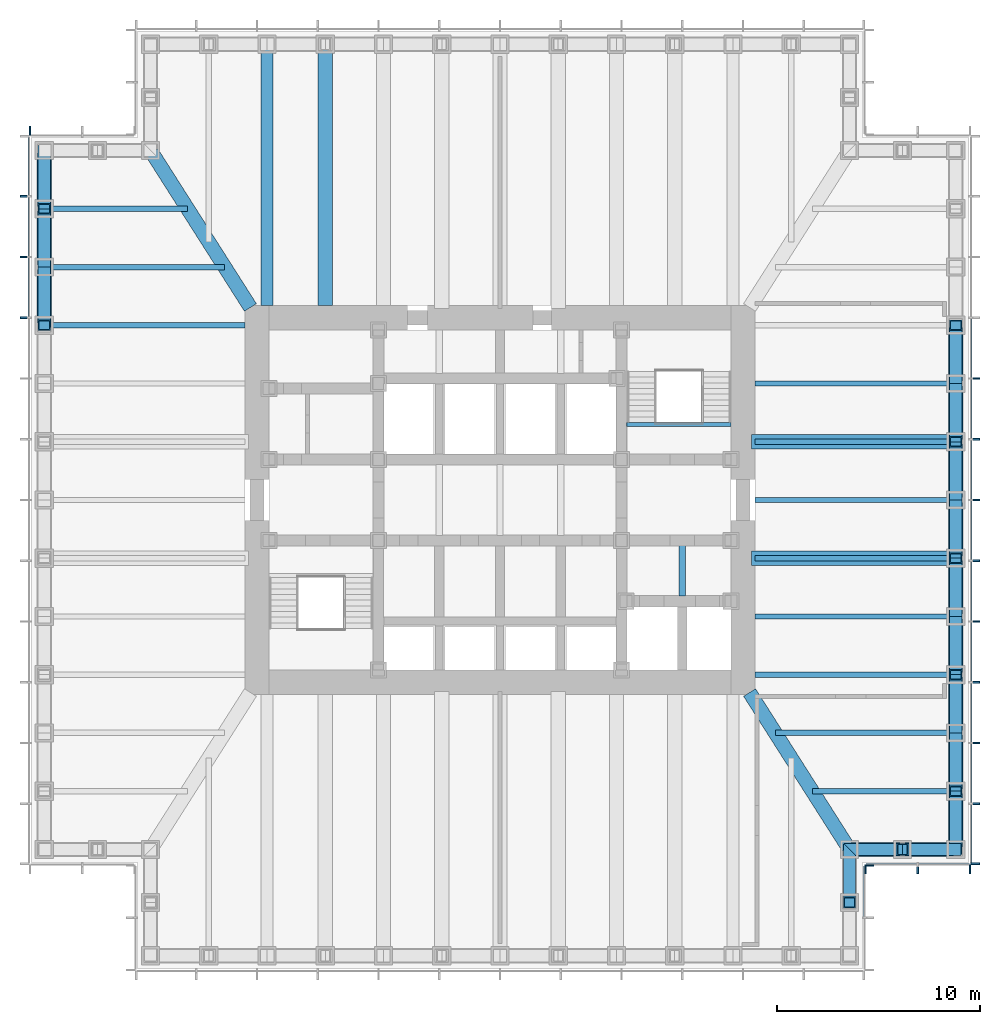
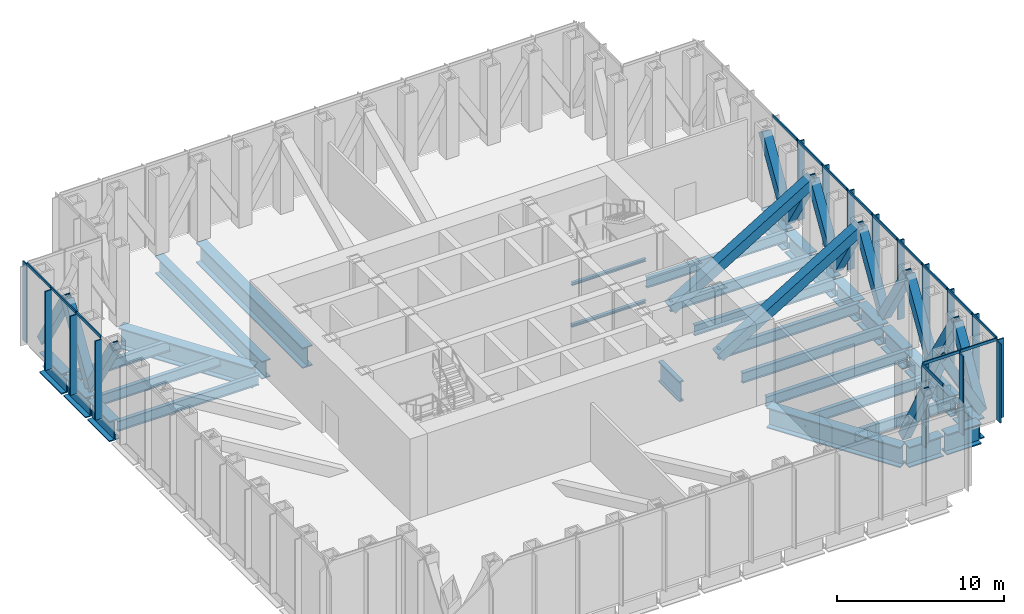
# One storey, part 3 of 13: 49 members, 32 beams, 5 elements without a shape of their own.
"""IFC4 building model written with IfcOpenShell, lengths in metres."""

from ifc_helpers import new_model, si_unit, direction, frame, origin, origin_2d, place, context, subcontext, project, spatial, rectangle, hollow_rectangle, i_section, extrude, material, material_profile, profile_set, type_object, element, aggregate, save


model = new_model("IFC4")

# Units and contexts
model_context = context("Model", 3, precision=1e-05, world=origin(), true_north=direction((0.0, 1.0)))
body_context = subcontext(model_context, "Body", "Model", "MODEL_VIEW")
ifc_project = project(units=[si_unit("LENGTHUNIT", "METRE"), si_unit("AREAUNIT", "SQUARE_METRE"), si_unit("VOLUMEUNIT", "CUBIC_METRE"), si_unit("PLANEANGLEUNIT", "RADIAN"), si_unit("MASSUNIT", "GRAM", prefix="KILO")], contexts=[model_context])

# Site, building, storey
site_placement = place(None, origin())
site = spatial("IfcSite", under=ifc_project, at=site_placement, CompositionType="ELEMENT")
building_placement = place(site_placement, origin())
building = spatial("IfcBuilding", under=site, at=building_placement, Name="Daluyong Arena Tower", CompositionType="ELEMENT")
storey_placement = place(building_placement, frame((0.0, 0.0, 175.300048828125)))
storey = spatial("IfcBuildingStorey", under=building, at=storey_placement, Name="L39", CompositionType="ELEMENT", Elevation=175.300048828125)

# Members
ifc_material_1 = material(Name="Steel ASTM A572 Grade 50", Category="steel")
ifc_material_profile_1 = material_profile(ifc_material_1, hollow_rectangle(XDim=0.60009765625, YDim=0.60009765625, WallThickness=0.05, at=origin_2d()))
ifc_profile_set_1 = profile_set([ifc_material_profile_1], Name="Steel ASTM A572 Grade 50")
member_type_1 = type_object("IfcMemberType", Name="Belt truss diagonal BX600X50", PredefinedType="BRACE", material=ifc_profile_set_1)
for number, where, z_axis, x_axis, name in (
    (1, (73.25, 62.75, 0.5), (0.0, -0.48368611169, 0.875241535439), (1.0, 0.0, 0.0), "belt truss diagonal BT1"),
    (2, (73.25, 62.75, 0.5), (0.48368611169, 0.0, 0.875241535439), (0.0, 1.0, 0.0), "belt truss diagonal BT1"),
    (3, (78.5, 62.75, 0.5), (-0.48368611169, 0.0, 0.875241535439), (0.0, -1.0, 0.0), "belt truss diagonal BT1"),
):
    element("IfcMember", number, at=place(storey_placement, frame(where, z_axis=z_axis, x_axis=x_axis)), inside=storey, type_object=member_type_1, Name=name, PredefinedType="BRACE", context=body_context, shape_type="SweptSolid", body=[
        extrude(hollow_rectangle(XDim=0.60009765625, YDim=0.60009765625, WallThickness=0.05, at=origin_2d()), origin(), (0.0, 0.0, 1.0), 5.427001953125),
    ])
for number, where, z_axis, x_axis, name in (
    (4, (78.5, 62.75, 0.5), (0.0, 0.517802679406, 0.855500079018), (-1.0, 0.0, 0.0), "belt truss diagonal BT1"),
    (5, (78.5, 68.5, 0.5), (0.0, -0.517802679406, 0.855500079018), (1.0, 0.0, 0.0), "belt truss diagonal BT1"),
    (6, (78.5, 68.5, 0.5), (0.0, 0.517802679406, 0.855500079018), (-1.0, 0.0, 0.0), "belt truss diagonal BT1"),
    (7, (78.5, 74.25, 0.5), (0.0, -0.517802679406, 0.855500079018), (1.0, 0.0, 0.0), "belt truss diagonal BT1"),
    (8, (78.5, 74.25, 0.5), (0.0, 0.517802679406, 0.855500079018), (-1.0, 0.0, 0.0), "belt truss diagonal BT1"),
    (9, (78.5, 80.0, 0.5), (0.0, -0.517802679406, 0.855500079018), (1.0, 0.0, 0.0), "belt truss diagonal BT1"),
    (10, (78.5, 80.0, 0.5), (0.0, 0.517802679406, 0.855500079018), (-1.0, 0.0, 0.0), "belt truss diagonal BT1"),
    (11, (78.5, 85.75, 0.5), (0.0, -0.517802679406, 0.855500079018), (1.0, 0.0, 0.0), "belt truss diagonal BT1"),
    (12, (78.5, 85.75, 0.5), (0.0, 0.517802679406, 0.855500079018), (-1.0, 0.0, 0.0), "belt truss diagonal BT1"),
    (13, (33.5, 97.25, 0.5), (0.0, -0.517802679406, 0.855500079018), (1.0, 0.0, 0.0), "belt truss diagonal BT1"),
    (14, (33.5, 91.5, 0.5), (0.0, 0.517802679406, 0.855500079018), (-1.0, 0.0, 0.0), "belt truss diagonal BT1"),
    (15, (33.5, 91.5, 0.5), (0.0, -0.517802679406, 0.855500079018), (1.0, 0.0, 0.0), "belt truss diagonal BT1"),
):
    element("IfcMember", number, at=place(storey_placement, frame(where, z_axis=z_axis, x_axis=x_axis)), inside=storey, type_object=member_type_1, Name=name, PredefinedType="BRACE", context=body_context, shape_type="SweptSolid", body=[
        extrude(hollow_rectangle(XDim=0.60009765625, YDim=0.60009765625, WallThickness=0.05, at=origin_2d()), origin(), (0.0, 0.0, 1.0), 5.55224609375),
    ])

# Curtain wall, member
ifc_material_2 = material(Name="Bronze anodised aluminium and glass", Category="aluminium")
curtain_wall_type = type_object("IfcCurtainWallType", Name="Curtain wall CW6", PredefinedType="USERDEFINED", material=ifc_material_2)
curtain_wall_1_placement = place(storey_placement, origin())
curtain_wall_1 = element("IfcCurtainWall", 16, at=curtain_wall_1_placement, inside=storey, type_object=curtain_wall_type, Name="curtain wall L39 SE-E", ObjectType="UNITISED CURTAIN WALL", PredefinedType="USERDEFINED")
ifc_material_3 = material(Name="Bronze anodised aluminium fin", Category="aluminium")
ifc_material_profile_2 = material_profile(ifc_material_3, rectangle(XDim=0.449951171875, YDim=0.080078125, at=origin_2d()))
ifc_profile_set_2 = profile_set([ifc_material_profile_2], Name="Bronze anodised aluminium fin")
member_type_2 = type_object("IfcMemberType", Name="CW6 bronze fin 450x80", PredefinedType="MULLION", material=ifc_profile_set_2)
member_1_placement = place(storey_placement, frame((74.22509765625, 61.9599609375, 0.0), z_axis=(0.0, 0.0, 1.0), x_axis=(-1.0, 0.0, 0.0)))
member_1 = element("IfcMember", 17, at=member_1_placement, type_object=member_type_2, Name="curtain wall L39 SE-E fin 3", PredefinedType="MULLION", context=body_context, shape_type="SweptSolid", body=[
    extrude(rectangle(XDim=0.449951171875, YDim=0.080078125, at=origin_2d()), origin(), (0.0, 0.0, 1.0), 5.800048828125),
])

# Curtain wall, members
curtain_wall_2_placement = place(storey_placement, origin())
curtain_wall_2 = element("IfcCurtainWall", 18, at=curtain_wall_2_placement, inside=storey, type_object=curtain_wall_type, Name="curtain wall L39 SE-S", ObjectType="UNITISED CURTAIN WALL", PredefinedType="USERDEFINED")
member_2_placement = place(storey_placement, frame((74.0400390625, 61.77490234375, 0.0), z_axis=(0.0, 0.0, 1.0), x_axis=(0.0, 1.0, 0.0)))
member_2 = element("IfcMember", 19, at=member_2_placement, type_object=member_type_2, Name="curtain wall L39 SE-S fin 1", PredefinedType="MULLION", context=body_context, shape_type="SweptSolid", body=[
    extrude(rectangle(XDim=0.449951171875, YDim=0.080078125, at=origin_2d()), origin(), (0.0, 0.0, 1.0), 5.800048828125),
])
member_3_placement = place(storey_placement, frame((76.625, 61.77490234375, 0.0), z_axis=(0.0, 0.0, 1.0), x_axis=(0.0, 1.0, 0.0)))
member_3 = element("IfcMember", 20, at=member_3_placement, type_object=member_type_2, Name="curtain wall L39 SE-S fin 2", PredefinedType="MULLION", context=body_context, shape_type="SweptSolid", body=[
    extrude(rectangle(XDim=0.449951171875, YDim=0.080078125, at=origin_2d()), origin(), (0.0, 0.0, 1.0), 5.800048828125),
])
member_4_placement = place(storey_placement, frame((79.2099609375, 61.77490234375, 0.0), z_axis=(0.0, 0.0, 1.0), x_axis=(0.0, 1.0, 0.0)))
member_4 = element("IfcMember", 21, at=member_4_placement, type_object=member_type_2, Name="curtain wall L39 SE-S fin 3", PredefinedType="MULLION", context=body_context, shape_type="SweptSolid", body=[
    extrude(rectangle(XDim=0.449951171875, YDim=0.080078125, at=origin_2d()), origin(), (0.0, 0.0, 1.0), 5.800048828125),
])

curtain_wall_3_placement = place(storey_placement, origin())
curtain_wall_3 = element("IfcCurtainWall", 22, at=curtain_wall_3_placement, inside=storey, type_object=curtain_wall_type, Name="curtain wall L39 E", ObjectType="UNITISED CURTAIN WALL", PredefinedType="USERDEFINED")
member_5_placement = place(storey_placement, frame((79.47509765625, 62.0400390625, 0.0), z_axis=(0.0, 0.0, 1.0), x_axis=(-1.0, 0.0, 0.0)))
member_5 = element("IfcMember", 23, at=member_5_placement, type_object=member_type_2, Name="curtain wall L39 E fin 1", PredefinedType="MULLION", context=body_context, shape_type="SweptSolid", body=[
    extrude(rectangle(XDim=0.449951171875, YDim=0.080078125, at=origin_2d()), origin(), (0.0, 0.0, 1.0), 5.800048828125),
])
member_6_placement = place(storey_placement, frame((79.47509765625, 65.0, 0.0), z_axis=(0.0, 0.0, 1.0), x_axis=(-1.0, 0.0, 0.0)))
member_6 = element("IfcMember", 24, at=member_6_placement, type_object=member_type_2, Name="curtain wall L39 E fin 2", PredefinedType="MULLION", context=body_context, shape_type="SweptSolid", body=[
    extrude(rectangle(XDim=0.449951171875, YDim=0.080078125, at=origin_2d()), origin(), (0.0, 0.0, 1.0), 5.800048828125),
])
member_7_placement = place(storey_placement, frame((79.47509765625, 68.0, 0.0), z_axis=(0.0, 0.0, 1.0), x_axis=(-1.0, 0.0, 0.0)))
member_7 = element("IfcMember", 25, at=member_7_placement, type_object=member_type_2, Name="curtain wall L39 E fin 3", PredefinedType="MULLION", context=body_context, shape_type="SweptSolid", body=[
    extrude(rectangle(XDim=0.449951171875, YDim=0.080078125, at=origin_2d()), origin(), (0.0, 0.0, 1.0), 5.800048828125),
])
member_8_placement = place(storey_placement, frame((79.47509765625, 71.0, 0.0), z_axis=(0.0, 0.0, 1.0), x_axis=(-1.0, 0.0, 0.0)))
member_8 = element("IfcMember", 26, at=member_8_placement, type_object=member_type_2, Name="curtain wall L39 E fin 4", PredefinedType="MULLION", context=body_context, shape_type="SweptSolid", body=[
    extrude(rectangle(XDim=0.449951171875, YDim=0.080078125, at=origin_2d()), origin(), (0.0, 0.0, 1.0), 5.800048828125),
])
member_9_placement = place(storey_placement, frame((79.47509765625, 74.0, 0.0), z_axis=(0.0, 0.0, 1.0), x_axis=(-1.0, 0.0, 0.0)))
member_9 = element("IfcMember", 27, at=member_9_placement, type_object=member_type_2, Name="curtain wall L39 E fin 5", PredefinedType="MULLION", context=body_context, shape_type="SweptSolid", body=[
    extrude(rectangle(XDim=0.449951171875, YDim=0.080078125, at=origin_2d()), origin(), (0.0, 0.0, 1.0), 5.800048828125),
])
member_10_placement = place(storey_placement, frame((79.47509765625, 77.0, 0.0), z_axis=(0.0, 0.0, 1.0), x_axis=(-1.0, 0.0, 0.0)))
member_10 = element("IfcMember", 28, at=member_10_placement, type_object=member_type_2, Name="curtain wall L39 E fin 6", PredefinedType="MULLION", context=body_context, shape_type="SweptSolid", body=[
    extrude(rectangle(XDim=0.449951171875, YDim=0.080078125, at=origin_2d()), origin(), (0.0, 0.0, 1.0), 5.800048828125),
])
member_11_placement = place(storey_placement, frame((79.47509765625, 80.0, 0.0), z_axis=(0.0, 0.0, 1.0), x_axis=(-1.0, 0.0, 0.0)))
member_11 = element("IfcMember", 29, at=member_11_placement, type_object=member_type_2, Name="curtain wall L39 E fin 7", PredefinedType="MULLION", context=body_context, shape_type="SweptSolid", body=[
    extrude(rectangle(XDim=0.449951171875, YDim=0.080078125, at=origin_2d()), origin(), (0.0, 0.0, 1.0), 5.800048828125),
])
member_12_placement = place(storey_placement, frame((79.47509765625, 83.0, 0.0), z_axis=(0.0, 0.0, 1.0), x_axis=(-1.0, 0.0, 0.0)))
member_12 = element("IfcMember", 30, at=member_12_placement, type_object=member_type_2, Name="curtain wall L39 E fin 8", PredefinedType="MULLION", context=body_context, shape_type="SweptSolid", body=[
    extrude(rectangle(XDim=0.449951171875, YDim=0.080078125, at=origin_2d()), origin(), (0.0, 0.0, 1.0), 5.800048828125),
])
member_13_placement = place(storey_placement, frame((79.47509765625, 86.0, 0.0), z_axis=(0.0, 0.0, 1.0), x_axis=(-1.0, 0.0, 0.0)))
member_13 = element("IfcMember", 31, at=member_13_placement, type_object=member_type_2, Name="curtain wall L39 E fin 9", PredefinedType="MULLION", context=body_context, shape_type="SweptSolid", body=[
    extrude(rectangle(XDim=0.449951171875, YDim=0.080078125, at=origin_2d()), origin(), (0.0, 0.0, 1.0), 5.800048828125),
])

# Curtain wall, member
curtain_wall_4_placement = place(storey_placement, origin())
curtain_wall_4 = element("IfcCurtainWall", 32, at=curtain_wall_4_placement, inside=storey, type_object=curtain_wall_type, Name="curtain wall L39 NW-N", ObjectType="UNITISED CURTAIN WALL", PredefinedType="USERDEFINED")
member_14_placement = place(storey_placement, frame((32.7900390625, 98.22509765625, 0.0), z_axis=(0.0, 0.0, 1.0), x_axis=(0.0, -1.0, 0.0)))
member_14 = element("IfcMember", 33, at=member_14_placement, type_object=member_type_2, Name="curtain wall L39 NW-N fin 3", PredefinedType="MULLION", context=body_context, shape_type="SweptSolid", body=[
    extrude(rectangle(XDim=0.449951171875, YDim=0.080078125, at=origin_2d()), origin(), (0.0, 0.0, 1.0), 5.800048828125),
])
aggregate(curtain_wall_4, [member_14])

# Curtain wall, members
curtain_wall_5_placement = place(storey_placement, origin())
curtain_wall_5 = element("IfcCurtainWall", 34, at=curtain_wall_5_placement, inside=storey, type_object=curtain_wall_type, Name="curtain wall L39 W", ObjectType="UNITISED CURTAIN WALL", PredefinedType="USERDEFINED")
member_15_placement = place(storey_placement, frame((32.52490234375, 95.0, 0.0), z_axis=(0.0, 0.0, 1.0), x_axis=(1.0, 0.0, 0.0)))
member_15 = element("IfcMember", 35, at=member_15_placement, type_object=member_type_2, Name="curtain wall L39 W fin 2", PredefinedType="MULLION", context=body_context, shape_type="SweptSolid", body=[
    extrude(rectangle(XDim=0.449951171875, YDim=0.080078125, at=origin_2d()), origin(), (0.0, 0.0, 1.0), 5.800048828125),
])
member_16_placement = place(storey_placement, frame((32.52490234375, 92.0, 0.0), z_axis=(0.0, 0.0, 1.0), x_axis=(1.0, 0.0, 0.0)))
member_16 = element("IfcMember", 36, at=member_16_placement, type_object=member_type_2, Name="curtain wall L39 W fin 3", PredefinedType="MULLION", context=body_context, shape_type="SweptSolid", body=[
    extrude(rectangle(XDim=0.449951171875, YDim=0.080078125, at=origin_2d()), origin(), (0.0, 0.0, 1.0), 5.800048828125),
])
member_17_placement = place(storey_placement, frame((32.52490234375, 89.0, 0.0), z_axis=(0.0, 0.0, 1.0), x_axis=(1.0, 0.0, 0.0)))
member_17 = element("IfcMember", 37, at=member_17_placement, type_object=member_type_2, Name="curtain wall L39 W fin 4", PredefinedType="MULLION", context=body_context, shape_type="SweptSolid", body=[
    extrude(rectangle(XDim=0.449951171875, YDim=0.080078125, at=origin_2d()), origin(), (0.0, 0.0, 1.0), 5.800048828125),
])

# Member
ifc_material_4 = material(Name="Bronze anodised aluminium", Category="aluminium")
ifc_material_profile_3 = material_profile(ifc_material_4, rectangle(XDim=0.080078125, YDim=0.199951171875, at=origin_2d()))
ifc_profile_set_3 = profile_set([ifc_material_profile_3], Name="Bronze anodised aluminium")
member_type_3 = type_object("IfcMemberType", Name="CW6 stack transom 200x80", PredefinedType="USERDEFINED", material=ifc_profile_set_3)
member_18_placement = place(storey_placement, frame((74.0, 59.4150390625, 5.89990234375), z_axis=(0.0, 1.0, 0.0), x_axis=(-1.0, 0.0, 0.0)))
member_18 = element("IfcMember", 38, at=member_18_placement, type_object=member_type_3, Name="curtain wall L39 SE-E transom 2", ObjectType="TRANSOM", PredefinedType="USERDEFINED", context=body_context, shape_type="SweptSolid", body=[
    extrude(rectangle(XDim=0.080078125, YDim=0.199951171875, at=origin_2d()), origin(), (0.0, 0.0, 1.0), 2.5048828125),
])

aggregate(curtain_wall_1, [member_1, member_18])

member_19_placement = place(storey_placement, frame((74.080078125, 62.0, 5.89990234375), z_axis=(1.0, 0.0, 0.0), x_axis=(0.0, 1.0, 0.0)))
member_19 = element("IfcMember", 39, at=member_19_placement, type_object=member_type_3, Name="curtain wall L39 SE-S transom 1", ObjectType="TRANSOM", PredefinedType="USERDEFINED", context=body_context, shape_type="SweptSolid", body=[
    extrude(rectangle(XDim=0.080078125, YDim=0.199951171875, at=origin_2d()), origin(), (0.0, 0.0, 1.0), 2.5048828125),
])

member_20_placement = place(storey_placement, frame((76.6650390625, 62.0, 5.89990234375), z_axis=(1.0, 0.0, 0.0), x_axis=(0.0, 1.0, 0.0)))
member_20 = element("IfcMember", 40, at=member_20_placement, type_object=member_type_3, Name="curtain wall L39 SE-S transom 2", ObjectType="TRANSOM", PredefinedType="USERDEFINED", context=body_context, shape_type="SweptSolid", body=[
    extrude(rectangle(XDim=0.080078125, YDim=0.199951171875, at=origin_2d()), origin(), (0.0, 0.0, 1.0), 2.5048828125),
])

aggregate(curtain_wall_2, [member_2, member_3, member_4, member_19, member_20])

member_21_placement = place(storey_placement, frame((79.25, 62.080078125, 5.89990234375), z_axis=(0.0, 1.0, 0.0), x_axis=(-1.0, 0.0, 0.0)))
member_21 = element("IfcMember", 41, at=member_21_placement, type_object=member_type_3, Name="curtain wall L39 E transom 1", ObjectType="TRANSOM", PredefinedType="USERDEFINED", context=body_context, shape_type="SweptSolid", body=[
    extrude(rectangle(XDim=0.080078125, YDim=0.199951171875, at=origin_2d()), origin(), (0.0, 0.0, 1.0), 2.8798828125),
])

member_22_placement = place(storey_placement, frame((79.25, 65.0400390625, 5.89990234375), z_axis=(0.0, 1.0, 0.0), x_axis=(-1.0, 0.0, 0.0)))
member_22 = element("IfcMember", 42, at=member_22_placement, type_object=member_type_3, Name="curtain wall L39 E transom 2", ObjectType="TRANSOM", PredefinedType="USERDEFINED", context=body_context, shape_type="SweptSolid", body=[
    extrude(rectangle(XDim=0.080078125, YDim=0.199951171875, at=origin_2d()), origin(), (0.0, 0.0, 1.0), 2.919921875),
])

member_23_placement = place(storey_placement, frame((79.25, 68.0400390625, 5.89990234375), z_axis=(0.0, 1.0, 0.0), x_axis=(-1.0, 0.0, 0.0)))
member_23 = element("IfcMember", 43, at=member_23_placement, type_object=member_type_3, Name="curtain wall L39 E transom 3", ObjectType="TRANSOM", PredefinedType="USERDEFINED", context=body_context, shape_type="SweptSolid", body=[
    extrude(rectangle(XDim=0.080078125, YDim=0.199951171875, at=origin_2d()), origin(), (0.0, 0.0, 1.0), 2.919921875),
])

member_24_placement = place(storey_placement, frame((79.25, 71.0400390625, 5.89990234375), z_axis=(0.0, 1.0, 0.0), x_axis=(-1.0, 0.0, 0.0)))
member_24 = element("IfcMember", 44, at=member_24_placement, type_object=member_type_3, Name="curtain wall L39 E transom 4", ObjectType="TRANSOM", PredefinedType="USERDEFINED", context=body_context, shape_type="SweptSolid", body=[
    extrude(rectangle(XDim=0.080078125, YDim=0.199951171875, at=origin_2d()), origin(), (0.0, 0.0, 1.0), 2.919921875),
])

member_25_placement = place(storey_placement, frame((79.25, 74.0400390625, 5.89990234375), z_axis=(0.0, 1.0, 0.0), x_axis=(-1.0, 0.0, 0.0)))
member_25 = element("IfcMember", 45, at=member_25_placement, type_object=member_type_3, Name="curtain wall L39 E transom 5", ObjectType="TRANSOM", PredefinedType="USERDEFINED", context=body_context, shape_type="SweptSolid", body=[
    extrude(rectangle(XDim=0.080078125, YDim=0.199951171875, at=origin_2d()), origin(), (0.0, 0.0, 1.0), 2.919921875),
])

member_26_placement = place(storey_placement, frame((79.25, 77.0400390625, 5.89990234375), z_axis=(0.0, 1.0, 0.0), x_axis=(-1.0, 0.0, 0.0)))
member_26 = element("IfcMember", 46, at=member_26_placement, type_object=member_type_3, Name="curtain wall L39 E transom 6", ObjectType="TRANSOM", PredefinedType="USERDEFINED", context=body_context, shape_type="SweptSolid", body=[
    extrude(rectangle(XDim=0.080078125, YDim=0.199951171875, at=origin_2d()), origin(), (0.0, 0.0, 1.0), 2.919921875),
])

member_27_placement = place(storey_placement, frame((79.25, 80.0400390625, 5.89990234375), z_axis=(0.0, 1.0, 0.0), x_axis=(-1.0, 0.0, 0.0)))
member_27 = element("IfcMember", 47, at=member_27_placement, type_object=member_type_3, Name="curtain wall L39 E transom 7", ObjectType="TRANSOM", PredefinedType="USERDEFINED", context=body_context, shape_type="SweptSolid", body=[
    extrude(rectangle(XDim=0.080078125, YDim=0.199951171875, at=origin_2d()), origin(), (0.0, 0.0, 1.0), 2.919921875),
])

member_28_placement = place(storey_placement, frame((79.25, 83.0400390625, 5.89990234375), z_axis=(0.0, 1.0, 0.0), x_axis=(-1.0, 0.0, 0.0)))
member_28 = element("IfcMember", 48, at=member_28_placement, type_object=member_type_3, Name="curtain wall L39 E transom 8", ObjectType="TRANSOM", PredefinedType="USERDEFINED", context=body_context, shape_type="SweptSolid", body=[
    extrude(rectangle(XDim=0.080078125, YDim=0.199951171875, at=origin_2d()), origin(), (0.0, 0.0, 1.0), 2.919921875),
])

member_29_placement = place(storey_placement, frame((79.25, 86.0400390625, 5.89990234375), z_axis=(0.0, 1.0, 0.0), x_axis=(-1.0, 0.0, 0.0)))
member_29 = element("IfcMember", 49, at=member_29_placement, type_object=member_type_3, Name="curtain wall L39 E transom 9", ObjectType="TRANSOM", PredefinedType="USERDEFINED", context=body_context, shape_type="SweptSolid", body=[
    extrude(rectangle(XDim=0.080078125, YDim=0.199951171875, at=origin_2d()), origin(), (0.0, 0.0, 1.0), 2.919921875),
])

aggregate(curtain_wall_3, [member_5, member_6, member_7, member_8, member_9, member_10, member_11, member_12, member_13, member_21, member_22, member_23, member_24, member_25, member_26, member_27, member_28, member_29])

member_30_placement = place(storey_placement, frame((32.75, 97.919921875, 5.89990234375), z_axis=(0.0, -1.0, 0.0), x_axis=(1.0, 0.0, 0.0)))
member_30 = element("IfcMember", 50, at=member_30_placement, type_object=member_type_3, Name="curtain wall L39 W transom 1", ObjectType="TRANSOM", PredefinedType="USERDEFINED", context=body_context, shape_type="SweptSolid", body=[
    extrude(rectangle(XDim=0.080078125, YDim=0.199951171875, at=origin_2d()), origin(), (0.0, 0.0, 1.0), 2.8798828125),
])

member_31_placement = place(storey_placement, frame((32.75, 94.9599609375, 5.89990234375), z_axis=(0.0, -1.0, 0.0), x_axis=(1.0, 0.0, 0.0)))
member_31 = element("IfcMember", 51, at=member_31_placement, type_object=member_type_3, Name="curtain wall L39 W transom 2", ObjectType="TRANSOM", PredefinedType="USERDEFINED", context=body_context, shape_type="SweptSolid", body=[
    extrude(rectangle(XDim=0.080078125, YDim=0.199951171875, at=origin_2d()), origin(), (0.0, 0.0, 1.0), 2.919921875),
])

member_32_placement = place(storey_placement, frame((32.75, 91.9599609375, 5.89990234375), z_axis=(0.0, -1.0, 0.0), x_axis=(1.0, 0.0, 0.0)))
member_32 = element("IfcMember", 52, at=member_32_placement, type_object=member_type_3, Name="curtain wall L39 W transom 3", ObjectType="TRANSOM", PredefinedType="USERDEFINED", context=body_context, shape_type="SweptSolid", body=[
    extrude(rectangle(XDim=0.080078125, YDim=0.199951171875, at=origin_2d()), origin(), (0.0, 0.0, 1.0), 2.919921875),
])

aggregate(curtain_wall_5, [member_15, member_16, member_17, member_30, member_31, member_32])

# Beams
ifc_material_5 = material(Name="Steel ASTM A572 Grade 50", Category="steel")
ifc_material_profile_4 = material_profile(ifc_material_5, i_section(OverallWidth=0.699951171875, OverallDepth=1.5, WebThickness=0.04, FlangeThickness=0.08, at=origin_2d()))
ifc_profile_set_4 = profile_set([ifc_material_profile_4], Name="Steel ASTM A572 Grade 50")
beam_type_1 = type_object("IfcBeamType", Name="Corner girder PG1500X700", PredefinedType="BEAM", material=ifc_profile_set_4)
for number, where, z_axis, x_axis, name in (
    (53, (73.188232421875, 62.846923828125, -1.0), (-0.536872006459, 0.843663705916, 0.0), (-0.843663705916, -0.536872006459, 0.0), "corner girder DG4"),
    (54, (38.811767578125, 97.153076171875, -1.0), (0.536872006459, -0.843663705916, 0.0), (0.843663705916, 0.536872006459, 0.0), "corner girder DG4"),
):
    element("IfcBeam", number, at=place(storey_placement, frame(where, z_axis=z_axis, x_axis=x_axis)), inside=storey, type_object=beam_type_1, Name=name, PredefinedType="BEAM", context=body_context, shape_type="SweptSolid", body=[
        extrude(i_section(OverallWidth=0.699951171875, OverallDepth=1.5, WebThickness=0.04, FlangeThickness=0.08, at=origin_2d()), origin(), (0.0, 0.0, 1.0), 9.06396484375),
    ])
ifc_material_6 = material(Name="Steel ASTM A572 Grade 50", Category="steel")
ifc_material_profile_5 = material_profile(ifc_material_6, i_section(OverallWidth=0.699951171875, OverallDepth=1.5, WebThickness=0.04, FlangeThickness=0.08, at=origin_2d()))
ifc_profile_set_5 = profile_set([ifc_material_profile_5], Name="Steel ASTM A572 Grade 50")
beam_type_2 = type_object("IfcBeamType", Name="Floor beam PG1500X700", PredefinedType="BEAM", material=ifc_profile_set_5)
beam_1_placement = place(storey_placement, frame((47.375, 102.385009765625, -1.0), z_axis=(0.0, -1.0, 0.0), x_axis=(1.0, 0.0, 0.0)))
element("IfcBeam", 55, at=beam_1_placement, inside=storey, type_object=beam_type_2, Name="floor beam FB8", PredefinedType="BEAM", context=body_context, shape_type="SweptSolid", body=[
    extrude(i_section(OverallWidth=0.699951171875, OverallDepth=1.5, WebThickness=0.04, FlangeThickness=0.08, at=origin_2d()), origin(), (0.0, 0.0, 1.0), 12.784912109375),
])
ifc_material_7 = material(Name="Steel ASTM A572 Grade 50", Category="steel")
ifc_material_profile_6 = material_profile(ifc_material_7, i_section(OverallWidth=0.60009765625, OverallDepth=1.300048828125, WebThickness=0.035, FlangeThickness=0.07, at=origin_2d()))
ifc_profile_set_6 = profile_set([ifc_material_profile_6], Name="Steel ASTM A572 Grade 50")
beam_type_3 = type_object("IfcBeamType", Name="Floor beam TB1300X600", PredefinedType="BEAM", material=ifc_profile_set_6)
beam_2_placement = place(storey_placement, frame((44.5, 102.385009765625, -0.900146484375), z_axis=(0.0, -1.0, 0.0), x_axis=(1.0, 0.0, 0.0)))
element("IfcBeam", 56, at=beam_2_placement, inside=storey, type_object=beam_type_3, Name="floor beam FB7", PredefinedType="BEAM", context=body_context, shape_type="SweptSolid", body=[
    extrude(i_section(OverallWidth=0.60009765625, OverallDepth=1.300048828125, WebThickness=0.035, FlangeThickness=0.07, at=origin_2d()), origin(), (0.0, 0.0, 1.0), 12.784912109375),
])
ifc_material_8 = material(Name="Steel ASTM A992 Grade 50", Category="steel")
ifc_material_profile_7 = material_profile(ifc_material_8, i_section(OverallWidth=0.2666015625, OverallDepth=0.761962890625, WebThickness=0.014404296875, FlangeThickness=0.021484375, at=origin_2d()))
ifc_profile_set_7 = profile_set([ifc_material_profile_7], Name="Steel ASTM A992 Grade 50")
beam_type_4 = type_object("IfcBeamType", Name="Floor beam W30X116", PredefinedType="BEAM", material=ifc_profile_set_7)
beam_3_placement = place(storey_placement, frame((78.385009765625, 65.625, -0.631103515625), z_axis=(-1.0, 0.0, 0.0), x_axis=(0.0, -1.0, 0.0)))
element("IfcBeam", 57, at=beam_3_placement, inside=storey, type_object=beam_type_4, Name="floor beam FB4", PredefinedType="BEAM", context=body_context, shape_type="SweptSolid", body=[
    extrude(i_section(OverallWidth=0.2666015625, OverallDepth=0.761962890625, WebThickness=0.014404296875, FlangeThickness=0.021484375, at=origin_2d()), origin(), (0.0, 0.0, 1.0), 6.964599609375),
])
beam_4_placement = place(storey_placement, frame((78.385009765625, 68.5, -0.631103515625), z_axis=(-1.0, 0.0, 0.0), x_axis=(0.0, -1.0, 0.0)))
element("IfcBeam", 58, at=beam_4_placement, inside=storey, type_object=beam_type_4, Name="floor beam FB4", PredefinedType="BEAM", context=body_context, shape_type="SweptSolid", body=[
    extrude(i_section(OverallWidth=0.2666015625, OverallDepth=0.761962890625, WebThickness=0.014404296875, FlangeThickness=0.021484375, at=origin_2d()), origin(), (0.0, 0.0, 1.0), 8.794189453125),
])
for number, where, z_axis, x_axis, name in (
    (59, (78.385009765625, 71.375, -0.631103515625), (-1.0, 0.0, 0.0), (0.0, -1.0, 0.0), "floor beam FB4"),
    (60, (78.385009765625, 74.25, -0.631103515625), (-1.0, 0.0, 0.0), (0.0, -1.0, 0.0), "floor beam FB4"),
    (61, (78.385009765625, 77.125, -0.631103515625), (-1.0, 0.0, 0.0), (0.0, -1.0, 0.0), "floor beam FB4"),
    (62, (78.385009765625, 80.0, -0.631103515625), (-1.0, 0.0, 0.0), (0.0, -1.0, 0.0), "floor beam FB4"),
    (63, (78.385009765625, 82.875, -0.631103515625), (-1.0, 0.0, 0.0), (0.0, -1.0, 0.0), "floor beam FB4"),
    (64, (78.385009765625, 85.75, -0.631103515625), (-1.0, 0.0, 0.0), (0.0, -1.0, 0.0), "floor beam FB4"),
):
    element("IfcBeam", number, at=place(storey_placement, frame(where, z_axis=z_axis, x_axis=x_axis)), inside=storey, type_object=beam_type_4, Name=name, PredefinedType="BEAM", context=body_context, shape_type="SweptSolid", body=[
        extrude(i_section(OverallWidth=0.2666015625, OverallDepth=0.761962890625, WebThickness=0.014404296875, FlangeThickness=0.021484375, at=origin_2d()), origin(), (0.0, 0.0, 1.0), 9.784912109375),
    ])
beam_5_placement = place(storey_placement, frame((33.614990234375, 94.375, -0.631103515625), z_axis=(1.0, 0.0, 0.0), x_axis=(0.0, 1.0, 0.0)))
element("IfcBeam", 65, at=beam_5_placement, inside=storey, type_object=beam_type_4, Name="floor beam FB4", PredefinedType="BEAM", context=body_context, shape_type="SweptSolid", body=[
    extrude(i_section(OverallWidth=0.2666015625, OverallDepth=0.761962890625, WebThickness=0.014404296875, FlangeThickness=0.021484375, at=origin_2d()), origin(), (0.0, 0.0, 1.0), 6.964599609375),
])
beam_6_placement = place(storey_placement, frame((33.614990234375, 91.5, -0.631103515625), z_axis=(1.0, 0.0, 0.0), x_axis=(0.0, 1.0, 0.0)))
element("IfcBeam", 66, at=beam_6_placement, inside=storey, type_object=beam_type_4, Name="floor beam FB4", PredefinedType="BEAM", context=body_context, shape_type="SweptSolid", body=[
    extrude(i_section(OverallWidth=0.2666015625, OverallDepth=0.761962890625, WebThickness=0.014404296875, FlangeThickness=0.021484375, at=origin_2d()), origin(), (0.0, 0.0, 1.0), 8.794189453125),
])
beam_7_placement = place(storey_placement, frame((33.614990234375, 88.625, -0.631103515625), z_axis=(1.0, 0.0, 0.0), x_axis=(0.0, 1.0, 0.0)))
element("IfcBeam", 67, at=beam_7_placement, inside=storey, type_object=beam_type_4, Name="floor beam FB4", PredefinedType="BEAM", context=body_context, shape_type="SweptSolid", body=[
    extrude(i_section(OverallWidth=0.2666015625, OverallDepth=0.761962890625, WebThickness=0.014404296875, FlangeThickness=0.021484375, at=origin_2d()), origin(), (0.0, 0.0, 1.0), 9.784912109375),
])
ifc_material_9 = material(Name="Steel ASTM A572 Grade 50", Category="steel")
ifc_material_profile_8 = material_profile(ifc_material_9, i_section(OverallWidth=0.300048828125, OverallDepth=1.5, WebThickness=0.04, FlangeThickness=0.1, at=origin_2d()))
ifc_profile_set_8 = profile_set([ifc_material_profile_8], Name="Steel ASTM A572 Grade 50")
beam_type_5 = type_object("IfcBeamType", Name="Lift divider beam PG1500X300", PredefinedType="BEAM", material=ifc_profile_set_8)
beam_8_placement = place(storey_placement, frame((65.0, 75.25, -1.0), z_axis=(0.0, 1.0, 0.0), x_axis=(-1.0, 0.0, 0.0)))
element("IfcBeam", 68, at=beam_8_placement, inside=storey, type_object=beam_type_5, Name="lift divider beam DB2", PredefinedType="BEAM", context=body_context, shape_type="SweptSolid", body=[
    extrude(i_section(OverallWidth=0.300048828125, OverallDepth=1.5, WebThickness=0.04, FlangeThickness=0.1, at=origin_2d()), origin(), (0.0, 0.0, 1.0), 2.5),
])

# Members
ifc_material_10 = material(Name="Steel ASTM A572 Grade 50", Category="steel")
ifc_material_profile_9 = material_profile(ifc_material_10, hollow_rectangle(XDim=0.699951171875, YDim=0.699951171875, WallThickness=0.06, at=origin_2d()))
ifc_profile_set_9 = profile_set([ifc_material_profile_9], Name="Steel ASTM A572 Grade 50")
member_type_4 = type_object("IfcMemberType", Name="Outrigger diagonal BX700X60", PredefinedType="BRACE", material=ifc_profile_set_9)
for number, where, z_axis, x_axis, name in (
    (69, (68.60009765625, 77.125, -0.75), (0.855195565337, 0.0, 0.518305455332), (0.0, 1.0, 0.0), "outrigger diagonal OT1"),
    (70, (68.60009765625, 82.875, -0.75), (0.855195565337, 0.0, 0.518305455332), (0.0, 1.0, 0.0), "outrigger diagonal OT1"),
):
    element("IfcMember", number, at=place(storey_placement, frame(where, z_axis=z_axis, x_axis=x_axis)), inside=storey, type_object=member_type_4, Name=name, PredefinedType="BRACE", context=body_context, shape_type="SweptSolid", body=[
        extrude(hollow_rectangle(XDim=0.699951171875, YDim=0.699951171875, WallThickness=0.06, at=origin_2d()), origin(), (0.0, 0.0, 1.0), 11.576171875),
    ])

# Beams
ifc_material_11 = material(Name="Steel ASTM A572 Grade 50", Category="steel")
ifc_material_profile_10 = material_profile(ifc_material_11, i_section(OverallWidth=0.699951171875, OverallDepth=1.5, WebThickness=0.04, FlangeThickness=0.08, at=origin_2d()))
ifc_profile_set_10 = profile_set([ifc_material_profile_10], Name="Steel ASTM A572 Grade 50")
beam_type_6 = type_object("IfcBeamType", Name="Spandrel Z2 PG1500X700", PredefinedType="SPANDREL", material=ifc_profile_set_10)
for number, where, z_axis, x_axis, name in (
    (71, (73.364990234375, 62.75, -1.0), (1.0, 0.0, 0.0), (0.0, 1.0, 0.0), "spandrel z2 SB6"),
    (72, (75.989990234375, 62.75, -1.0), (1.0, 0.0, 0.0), (0.0, 1.0, 0.0), "spandrel z2 SB6"),
):
    element("IfcBeam", number, at=place(storey_placement, frame(where, z_axis=z_axis, x_axis=x_axis)), inside=storey, type_object=beam_type_6, Name=name, PredefinedType="SPANDREL", context=body_context, shape_type="SweptSolid", body=[
        extrude(i_section(OverallWidth=0.699951171875, OverallDepth=1.5, WebThickness=0.04, FlangeThickness=0.08, at=origin_2d()), origin(), (0.0, 0.0, 1.0), 2.39501953125),
    ])
for number, where, z_axis, x_axis, name in (
    (73, (78.5, 62.864990234375, -1.0), (0.0, 1.0, 0.0), (-1.0, 0.0, 0.0), "spandrel z2 SB6"),
    (74, (78.5, 65.739990234375, -1.0), (0.0, 1.0, 0.0), (-1.0, 0.0, 0.0), "spandrel z2 SB6"),
    (75, (78.5, 68.614990234375, -1.0), (0.0, 1.0, 0.0), (-1.0, 0.0, 0.0), "spandrel z2 SB6"),
    (76, (78.5, 71.489990234375, -1.0), (0.0, 1.0, 0.0), (-1.0, 0.0, 0.0), "spandrel z2 SB6"),
    (77, (78.5, 74.364990234375, -1.0), (0.0, 1.0, 0.0), (-1.0, 0.0, 0.0), "spandrel z2 SB6"),
    (78, (78.5, 77.239990234375, -1.0), (0.0, 1.0, 0.0), (-1.0, 0.0, 0.0), "spandrel z2 SB6"),
    (79, (78.5, 80.114990234375, -1.0), (0.0, 1.0, 0.0), (-1.0, 0.0, 0.0), "spandrel z2 SB6"),
    (80, (78.5, 82.989990234375, -1.0), (0.0, 1.0, 0.0), (-1.0, 0.0, 0.0), "spandrel z2 SB6"),
    (81, (78.5, 85.864990234375, -1.0), (0.0, 1.0, 0.0), (-1.0, 0.0, 0.0), "spandrel z2 SB6"),
    (82, (33.5, 97.135009765625, -1.0), (0.0, -1.0, 0.0), (1.0, 0.0, 0.0), "spandrel z2 SB6"),
    (83, (33.5, 94.260009765625, -1.0), (0.0, -1.0, 0.0), (1.0, 0.0, 0.0), "spandrel z2 SB6"),
    (84, (33.5, 91.385009765625, -1.0), (0.0, -1.0, 0.0), (1.0, 0.0, 0.0), "spandrel z2 SB6"),
):
    element("IfcBeam", number, at=place(storey_placement, frame(where, z_axis=z_axis, x_axis=x_axis)), inside=storey, type_object=beam_type_6, Name=name, PredefinedType="SPANDREL", context=body_context, shape_type="SweptSolid", body=[
        extrude(i_section(OverallWidth=0.699951171875, OverallDepth=1.5, WebThickness=0.04, FlangeThickness=0.08, at=origin_2d()), origin(), (0.0, 0.0, 1.0), 2.64501953125),
    ])
ifc_material_12 = material(Name="Steel ASTM A992 Grade 50", Category="steel")
ifc_material_profile_11 = material_profile(ifc_material_12, i_section(OverallWidth=0.203125, OverallDepth=0.203125, WebThickness=0.00732421875, FlangeThickness=0.010986328125, at=origin_2d()))
ifc_profile_set_11 = profile_set([ifc_material_profile_11], Name="Steel ASTM A992 Grade 50")
beam_type_7 = type_object("IfcBeamType", Name="Stair landing beam W8X31", PredefinedType="BEAM", material=ifc_profile_set_11)
beam_9_placement = place(storey_placement, frame((62.25, 83.723388671875, -0.3515625), z_axis=(1.0, 0.0, 0.0), x_axis=(0.0, 1.0, 0.0)))
element("IfcBeam", 85, at=beam_9_placement, inside=storey, type_object=beam_type_7, Name="exit stair B landing beam", PredefinedType="BEAM", context=body_context, shape_type="SweptSolid", body=[
    extrude(i_section(OverallWidth=0.203125, OverallDepth=0.203125, WebThickness=0.00732421875, FlangeThickness=0.010986328125, at=origin_2d()), origin(), (0.0, 0.0, 1.0), 5.14990234375),
])
beam_10_placement = place(storey_placement, frame((62.27490234375, 83.723388671875, 2.6982421875), z_axis=(1.0, 0.0, 0.0), x_axis=(0.0, 1.0, 0.0)))
element("IfcBeam", 86, at=beam_10_placement, inside=storey, type_object=beam_type_7, Name="exit stair B landing beam", PredefinedType="BEAM", context=body_context, shape_type="SweptSolid", body=[
    extrude(i_section(OverallWidth=0.203125, OverallDepth=0.203125, WebThickness=0.00732421875, FlangeThickness=0.010986328125, at=origin_2d()), origin(), (0.0, 0.0, 1.0), 5.125),
])

save(model, "model.ifc")
